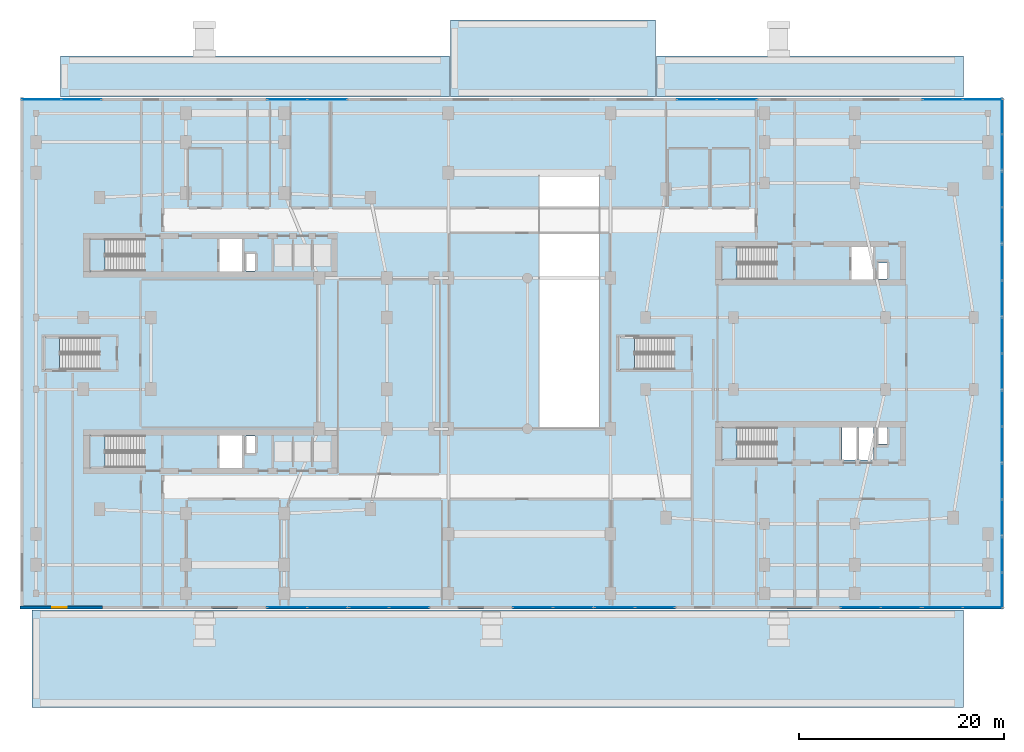
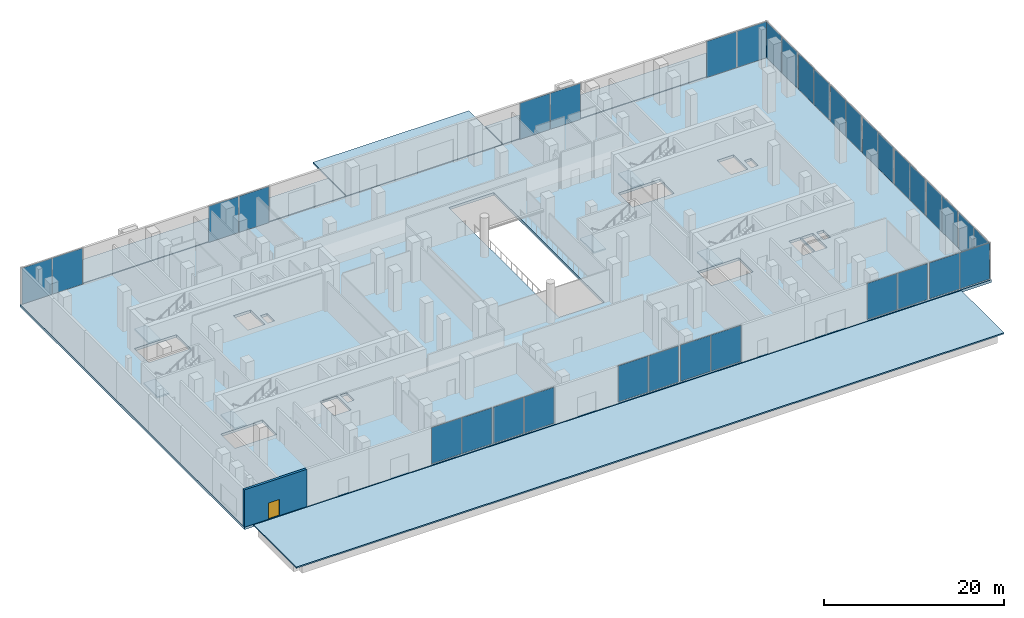
# One storey, part 11 of 24: 34 plates, 11 slabs, 1 door, 1 wall, 1 opening, 23 elements without a shape of their own.
"""IFC4 building model written with IfcOpenShell, lengths in metres."""

import ifcopenshell
import ifcopenshell.guid

model = None  # the IFC model being written
_history = None  # IfcOwnerHistory: only IFC2X3 demands one
_inside = {}  # id of a spatial element -> (the spatial element, [elements in it])
_under = {}  # id of a project, library or spatial element -> (it, [spatial elements below it])
_declared = {}  # id of a project -> (the project, [libraries it declares])
_typed = {}  # id of a type object -> (the type object, [elements of that type])
_made_of = {}  # id of a material, layer set ... -> (it, [elements and type objects made of it])


def new_model(schema):
    """Start an empty IFC model of exactly this schema.

    Asked for "IFC4X3", IfcOpenShell would pick the latest addendum, in which some entities
    have other attributes; the version numbers below select the first issue.
    IFC2X3 requires an IfcOwnerHistory on every rooted entity: one is made here for all.
    """
    global model, _history
    if schema == "IFC4X3":
        model = ifcopenshell.file(schema_version=(4, 3, 0, 0))
    else:
        model = ifcopenshell.file(schema=schema)
    _inside.clear()
    _under.clear()
    _declared.clear()
    _typed.clear()
    _made_of.clear()
    _history = None
    if model.schema == "IFC2X3":
        org = make("IfcOrganization", Name="unknown")
        user = make(
            "IfcPersonAndOrganization",
            ThePerson=make("IfcPerson", FamilyName="unknown"),
            TheOrganization=org,
        )
        app = make(
            "IfcApplication",
            ApplicationDeveloper=org,
            Version="unknown",
            ApplicationFullName="unknown",
            ApplicationIdentifier="unknown",
        )
        _history = make(
            "IfcOwnerHistory",
            OwningUser=user,
            OwningApplication=app,
            ChangeAction="ADDED",
            CreationDate=0,
        )
    return model


def make(cls, **values):
    """One entity of the class cls with the attributes given. An attribute that is None is left unset."""
    return model.create_entity(
        cls, **{name: value for name, value in values.items() if value is not None}
    )


def rooted(cls, **values):
    """An entity with a GlobalId (a new one), such as an element, a storey or a relation."""
    return make(cls, GlobalId=ifcopenshell.guid.new(), OwnerHistory=_history, **values)


def si_unit(unit_type, name, prefix=None):
    """IfcSIUnit, for example si_unit("LENGTHUNIT", "METRE", prefix="MILLI")."""
    return make("IfcSIUnit", UnitType=unit_type, Prefix=prefix, Name=name)


def derived_unit(unit_type, elements):
    """IfcDerivedUnit: a product of units, each with its exponent."""
    return make(
        "IfcDerivedUnit",
        Elements=[
            make("IfcDerivedUnitElement", Unit=unit, Exponent=power)
            for unit, power in elements
        ],
        UnitType=unit_type,
    )


def assignment(units):
    """IfcUnitAssignment: the units of a project."""
    return None if units is None else make("IfcUnitAssignment", Units=units)


def point(xyz):
    """IfcCartesianPoint."""
    return None if xyz is None else make("IfcCartesianPoint", Coordinates=xyz)


def direction(xyz):
    """IfcDirection."""
    return None if xyz is None else make("IfcDirection", DirectionRatios=xyz)


def frame(location, z_axis=None, x_axis=None):
    """IfcAxis2Placement3D, a coordinate frame: its origin and axes. An axis left out is left unset."""
    return make(
        "IfcAxis2Placement3D",
        Location=point(location),
        Axis=direction(z_axis),
        RefDirection=direction(x_axis),
    )


def frame_2d(location, x_axis=None):
    """IfcAxis2Placement2D, a coordinate frame in the plane: its origin and x axis."""
    return make(
        "IfcAxis2Placement2D", Location=point(location), RefDirection=direction(x_axis)
    )


def origin():
    """The frame at (0, 0, 0) with its axes left unset."""
    return frame((0.0, 0.0, 0.0))


def origin_2d():
    """The frame at (0, 0) in the plane with its x axis left unset."""
    return frame_2d((0.0, 0.0))


def place(relative_to, where):
    """IfcLocalPlacement: puts the frame where relative to a parent placement (None: the world)."""
    return make(
        "IfcLocalPlacement", PlacementRelTo=relative_to, RelativePlacement=where
    )


def context(
    kind, dimensions, precision=None, world=None, true_north=None, identifier=None
):
    """IfcGeometricRepresentationContext, for example the 3D "Model" context."""
    return make(
        "IfcGeometricRepresentationContext",
        ContextIdentifier=identifier,
        ContextType=kind,
        CoordinateSpaceDimension=dimensions,
        Precision=precision,
        WorldCoordinateSystem=world,
        TrueNorth=true_north,
    )


def subcontext(parent, identifier, kind, view, scale=None):
    """IfcGeometricRepresentationSubContext, for example "Body" below "Model"."""
    return make(
        "IfcGeometricRepresentationSubContext",
        ContextIdentifier=identifier,
        ContextType=kind,
        ParentContext=parent,
        TargetScale=scale,
        TargetView=view,
    )


def project(units=None, contexts=None):
    """IfcProject with its units and contexts."""
    return rooted(
        "IfcProject",
        Name="project",
        RepresentationContexts=contexts,
        UnitsInContext=assignment(units),
    )


def spatial(cls, under=None, at=None, **own):
    """A site, building, storey or space (cls), placed at a placement, below another one or the project."""
    s = rooted(cls, ObjectPlacement=at, **own)
    if under is not None:
        _under.setdefault(under.id(), (under, []))[1].append(s)
    return s


def polyline(points):
    """IfcPolyline through the points."""
    return make("IfcPolyline", Points=[point(p) for p in points])


def profile(cls, at=None, kind="AREA", **sizes):
    """A parametric profile (cls). Its sizes go by their IFC names, for example OverallWidth=200.0."""
    return make(cls, ProfileType=kind, Position=at, **sizes)


def rectangle(**sizes):
    """IfcRectangleProfileDef."""
    return profile("IfcRectangleProfileDef", **sizes)


def outline(outer, holes=None, kind="AREA"):
    """IfcArbitraryClosedProfileDef: a profile drawn as a closed curve; with holes, ...WithVoids."""
    if holes is None:
        return make("IfcArbitraryClosedProfileDef", ProfileType=kind, OuterCurve=outer)
    return make(
        "IfcArbitraryProfileDefWithVoids",
        ProfileType=kind,
        OuterCurve=outer,
        InnerCurves=holes,
    )


def extrude(swept, where, along, depth):
    """IfcExtrudedAreaSolid: the profile swept, set in the frame where, extruded along a direction by depth."""
    return make(
        "IfcExtrudedAreaSolid",
        SweptArea=swept,
        Position=where,
        ExtrudedDirection=direction(along),
        Depth=depth,
    )


def shape(context_of_items, identifier, shape_type, items):
    """IfcShapeRepresentation: the items that make up one representation, for example the "Body"."""
    return make(
        "IfcShapeRepresentation",
        ContextOfItems=context_of_items,
        RepresentationIdentifier=identifier,
        RepresentationType=shape_type,
        Items=items,
    )


def material(Name=None, Category=None):
    """IfcMaterial."""
    return make("IfcMaterial", Name=Name, Category=Category)


def layer(
    of_material, thickness, ventilated=None, Name=None, Category=None, Priority=None
):
    """IfcMaterialLayer: one layer of a wall or slab, of a material (None: an air gap)."""
    return make(
        "IfcMaterialLayer",
        Material=of_material,
        LayerThickness=thickness,
        IsVentilated=ventilated,
        Name=Name,
        Category=Category,
        Priority=Priority,
    )


def layer_set(layers, Name=None):
    """IfcMaterialLayerSet."""
    return make("IfcMaterialLayerSet", MaterialLayers=layers, LayerSetName=Name)


def made_of(thing, what):
    """Note that an element or type object is made of a material, layer set ...; save() writes the relation."""
    if what is not None:
        _made_of.setdefault(what.id(), (what, []))[1].append(thing)
    return thing


def type_object(cls, material=None, **own):
    """A type object (cls), such as IfcWallType, which elements share."""
    return made_of(rooted(cls, **own), material)


def element(
    cls,
    number,
    at=None,
    inside=None,
    cuts=None,
    type_object=None,
    material=None,
    context=None,
    identifier="Body",
    shape_type=None,
    held_by="IfcProductDefinitionShape",
    body=None,
    shapes=None,
    **own,
):
    """One element of the class cls, such as IfcWall. Its Tag is "e" and its number.

    at: its placement. inside: the storey or other place that contains it. cuts: it is an
    opening in that element (IfcRelVoidsElement). A single representation is given by context,
    identifier, shape_type and body (its items); several are given by shapes. held_by: the class
    of the entity that holds the representations. save() writes the other relations.
    """
    e = rooted(cls, Tag="e%d" % number, ObjectPlacement=at, **own)
    if body is not None:
        shapes = [shape(context, identifier, shape_type, body)]
    if shapes is not None:
        e.Representation = make(held_by, Representations=shapes)
    if inside is not None:
        _inside.setdefault(inside.id(), (inside, []))[1].append(e)
    if cuts is not None:
        rooted(
            "IfcRelVoidsElement", RelatingBuildingElement=cuts, RelatedOpeningElement=e
        )
    if type_object is not None:
        _typed.setdefault(type_object.id(), (type_object, []))[1].append(e)
    return made_of(e, material)


def fill(opening, filler):
    """IfcRelFillsElement: the door or window that sits in an opening."""
    return rooted(
        "IfcRelFillsElement",
        RelatingOpeningElement=opening,
        RelatedBuildingElement=filler,
    )


def aggregate(whole, parts):
    """IfcRelAggregates: a whole, such as a stair, and the parts it consists of."""
    return rooted("IfcRelAggregates", RelatingObject=whole, RelatedObjects=parts)


def save(model, path):
    """Write the relations noted so far, then the file.

    IfcRelAggregates (storeys below a building ...), IfcRelContainedInSpatialStructure (elements
    in a storey), IfcRelDefinesByType, IfcRelAssociatesMaterial and IfcRelDeclares: one each for
    every whole, place, type object, material and project.
    """
    for whole, parts in _under.values():
        aggregate(whole, parts)
    for where, things in _inside.values():
        rooted(
            "IfcRelContainedInSpatialStructure",
            RelatedElements=things,
            RelatingStructure=where,
        )
    for kind, things in _typed.values():
        rooted("IfcRelDefinesByType", RelatedObjects=things, RelatingType=kind)
    for what, things in _made_of.values():
        rooted("IfcRelAssociatesMaterial", RelatedObjects=things, RelatingMaterial=what)
    for by, libraries in _declared.values():
        rooted("IfcRelDeclares", RelatingContext=by, RelatedDefinitions=libraries)
    model.write(path)


model = new_model("IFC4")

# Units and contexts
model_context = context("Model", 3, precision=1e-05, world=origin(), true_north=direction((0.0, 1.0)))
body_context = subcontext(model_context, "Body", "Model", "MODEL_VIEW")
ifc_project = project(units=[si_unit("LENGTHUNIT", "METRE"), si_unit("AREAUNIT", "SQUARE_METRE"), si_unit("VOLUMEUNIT", "CUBIC_METRE"), si_unit("PLANEANGLEUNIT", "RADIAN"), si_unit("MASSUNIT", "GRAM", prefix="KILO"), derived_unit("THERMALTRANSMITTANCEUNIT", [(si_unit("POWERUNIT", "WATT"), 1), (si_unit("LENGTHUNIT", "METRE"), -2), (si_unit("THERMODYNAMICTEMPERATUREUNIT", "KELVIN"), -1)])], contexts=[model_context])

# Site, building, storey
site_placement = place(None, origin())
site = spatial("IfcSite", under=ifc_project, at=site_placement, CompositionType="ELEMENT")
building_placement = place(site_placement, origin())
building = spatial("IfcBuilding", under=site, at=building_placement, Name="Kivonza Crest Hotel", CompositionType="ELEMENT")
storey_placement = place(building_placement, origin())
storey = spatial("IfcBuildingStorey", under=building, at=storey_placement, Name="L00", CompositionType="ELEMENT", Elevation=0.0)

# Curtain wall, plates
ifc_material_1 = material(Name="Anodised bronze aluminium and low-E double glazing", Category="aluminium")
ifc_layer_1 = layer(ifc_material_1, 0.219970703125)
ifc_layer_set_1 = layer_set([ifc_layer_1], Name="Anodised bronze aluminium and low-E double glazing")
curtain_wall_type = type_object("IfcCurtainWallType", Name="CW-SYS-1", PredefinedType="NOTDEFINED", material=ifc_layer_set_1)
curtain_wall_1_placement = place(storey_placement, origin())
curtain_wall_1 = element("IfcCurtainWall", 1, at=curtain_wall_1_placement, inside=storey, type_object=curtain_wall_type, Name="L00 unitised curtain wall CW-POD-L00-04", PredefinedType="NOTDEFINED")
ifc_material_2 = material(Name="Acoustic triple-laminated low-E glazing", Category="glass")
ifc_layer_2 = layer(ifc_material_2, 0.035888671875)
ifc_layer_set_2 = layer_set([ifc_layer_2], Name="Acoustic triple-laminated low-E glazing")
plate_type = type_object("IfcPlateType", Name="CW-PNL-36", PredefinedType="CURTAIN_PANEL", material=ifc_layer_set_2)
plate_1_placement = place(storey_placement, frame((26.075439453125, 0.239990234375, 0.074951171875), z_axis=(0.0, 0.0, 1.0), x_axis=(1.0, 0.0, 0.0)))
plate_1 = element("IfcPlate", 2, at=plate_1_placement, type_object=plate_type, Name="CW-1 panel 1.1", PredefinedType="CURTAIN_PANEL", context=body_context, shape_type="SweptSolid", body=[
    extrude(rectangle(XDim=3.841064453125, YDim=0.035888671875, at=origin_2d()), origin(), (0.0, 0.0, 1.0), 4.89990234375),
])
plate_2_placement = place(storey_placement, frame((29.991455078125, 0.239990234375, 0.074951171875), z_axis=(0.0, 0.0, 1.0), x_axis=(1.0, 0.0, 0.0)))
plate_2 = element("IfcPlate", 3, at=plate_2_placement, type_object=plate_type, Name="CW-1 panel 2.1", PredefinedType="CURTAIN_PANEL", context=body_context, shape_type="SweptSolid", body=[
    extrude(rectangle(XDim=3.841064453125, YDim=0.035888671875, at=origin_2d()), origin(), (0.0, 0.0, 1.0), 4.89990234375),
])
aggregate(curtain_wall_1, [plate_1, plate_2])

curtain_wall_2_placement = place(storey_placement, origin())
curtain_wall_2 = element("IfcCurtainWall", 4, at=curtain_wall_2_placement, inside=storey, type_object=curtain_wall_type, Name="L00 unitised curtain wall CW-POD-L00-05", PredefinedType="NOTDEFINED")
plate_3_placement = place(storey_placement, frame((34.062255859375, 0.239990234375, 0.074951171875), z_axis=(0.0, 0.0, 1.0), x_axis=(1.0, 0.0, 0.0)))
plate_3 = element("IfcPlate", 5, at=plate_3_placement, type_object=plate_type, Name="CW-1 panel 1.1", PredefinedType="CURTAIN_PANEL", context=body_context, shape_type="SweptSolid", body=[
    extrude(rectangle(XDim=3.840576171875, YDim=0.035888671875, at=origin_2d()), origin(), (0.0, 0.0, 1.0), 4.89990234375),
])
plate_4_placement = place(storey_placement, frame((37.977783203125, 0.239990234375, 0.074951171875), z_axis=(0.0, 0.0, 1.0), x_axis=(1.0, 0.0, 0.0)))
plate_4 = element("IfcPlate", 6, at=plate_4_placement, type_object=plate_type, Name="CW-1 panel 2.1", PredefinedType="CURTAIN_PANEL", context=body_context, shape_type="SweptSolid", body=[
    extrude(rectangle(XDim=3.840576171875, YDim=0.035888671875, at=origin_2d()), origin(), (0.0, 0.0, 1.0), 4.89990234375),
])
aggregate(curtain_wall_2, [plate_3, plate_4])

curtain_wall_3_placement = place(storey_placement, origin())
curtain_wall_3 = element("IfcCurtainWall", 7, at=curtain_wall_3_placement, inside=storey, type_object=curtain_wall_type, Name="L00 unitised curtain wall CW-POD-L00-07", PredefinedType="NOTDEFINED")
plate_5_placement = place(storey_placement, frame((50.035400390625, 0.239990234375, 0.074951171875), z_axis=(0.0, 0.0, 1.0), x_axis=(1.0, 0.0, 0.0)))
plate_5 = element("IfcPlate", 8, at=plate_5_placement, type_object=plate_type, Name="CW-1 panel 1.1", PredefinedType="CURTAIN_PANEL", context=body_context, shape_type="SweptSolid", body=[
    extrude(rectangle(XDim=3.841064453125, YDim=0.035888671875, at=origin_2d()), origin(), (0.0, 0.0, 1.0), 4.89990234375),
])
plate_6_placement = place(storey_placement, frame((53.951416015625, 0.239990234375, 0.074951171875), z_axis=(0.0, 0.0, 1.0), x_axis=(1.0, 0.0, 0.0)))
plate_6 = element("IfcPlate", 9, at=plate_6_placement, type_object=plate_type, Name="CW-1 panel 2.1", PredefinedType="CURTAIN_PANEL", context=body_context, shape_type="SweptSolid", body=[
    extrude(rectangle(XDim=3.841064453125, YDim=0.035888671875, at=origin_2d()), origin(), (0.0, 0.0, 1.0), 4.89990234375),
])
aggregate(curtain_wall_3, [plate_5, plate_6])

curtain_wall_4_placement = place(storey_placement, origin())
curtain_wall_4 = element("IfcCurtainWall", 10, at=curtain_wall_4_placement, inside=storey, type_object=curtain_wall_type, Name="L00 unitised curtain wall CW-POD-L00-08", PredefinedType="NOTDEFINED")
plate_7_placement = place(storey_placement, frame((58.022216796875, 0.239990234375, 0.074951171875), z_axis=(0.0, 0.0, 1.0), x_axis=(1.0, 0.0, 0.0)))
plate_7 = element("IfcPlate", 11, at=plate_7_placement, type_object=plate_type, Name="CW-1 panel 1.1", PredefinedType="CURTAIN_PANEL", context=body_context, shape_type="SweptSolid", body=[
    extrude(rectangle(XDim=3.840576171875, YDim=0.035888671875, at=origin_2d()), origin(), (0.0, 0.0, 1.0), 4.89990234375),
])
plate_8_placement = place(storey_placement, frame((61.937744140625, 0.239990234375, 0.074951171875), z_axis=(0.0, 0.0, 1.0), x_axis=(1.0, 0.0, 0.0)))
plate_8 = element("IfcPlate", 12, at=plate_8_placement, type_object=plate_type, Name="CW-1 panel 2.1", PredefinedType="CURTAIN_PANEL", context=body_context, shape_type="SweptSolid", body=[
    extrude(rectangle(XDim=3.840576171875, YDim=0.035888671875, at=origin_2d()), origin(), (0.0, 0.0, 1.0), 4.89990234375),
])
aggregate(curtain_wall_4, [plate_7, plate_8])

curtain_wall_5_placement = place(storey_placement, origin())
curtain_wall_5 = element("IfcCurtainWall", 13, at=curtain_wall_5_placement, inside=storey, type_object=curtain_wall_type, Name="L00 unitised curtain wall CW-POD-L00-11", PredefinedType="NOTDEFINED")
plate_9_placement = place(storey_placement, frame((81.982177734375, 0.239990234375, 0.074951171875), z_axis=(0.0, 0.0, 1.0), x_axis=(1.0, 0.0, 0.0)))
plate_9 = element("IfcPlate", 14, at=plate_9_placement, type_object=plate_type, Name="CW-1 panel 1.1", PredefinedType="CURTAIN_PANEL", context=body_context, shape_type="SweptSolid", body=[
    extrude(rectangle(XDim=3.840576171875, YDim=0.035888671875, at=origin_2d()), origin(), (0.0, 0.0, 1.0), 4.89990234375),
])
plate_10_placement = place(storey_placement, frame((85.897705078125, 0.239990234375, 0.074951171875), z_axis=(0.0, 0.0, 1.0), x_axis=(1.0, 0.0, 0.0)))
plate_10 = element("IfcPlate", 15, at=plate_10_placement, type_object=plate_type, Name="CW-1 panel 2.1", PredefinedType="CURTAIN_PANEL", context=body_context, shape_type="SweptSolid", body=[
    extrude(rectangle(XDim=3.840576171875, YDim=0.035888671875, at=origin_2d()), origin(), (0.0, 0.0, 1.0), 4.89990234375),
])
aggregate(curtain_wall_5, [plate_9, plate_10])

curtain_wall_6_placement = place(storey_placement, origin())
curtain_wall_6 = element("IfcCurtainWall", 16, at=curtain_wall_6_placement, inside=storey, type_object=curtain_wall_type, Name="L00 unitised curtain wall CW-POD-L00-12", PredefinedType="NOTDEFINED")
plate_11_placement = place(storey_placement, frame((89.968505859375, 0.239990234375, 0.074951171875), z_axis=(0.0, 0.0, 1.0), x_axis=(1.0, 0.0, 0.0)))
plate_11 = element("IfcPlate", 17, at=plate_11_placement, type_object=plate_type, Name="CW-1 panel 1.1", PredefinedType="CURTAIN_PANEL", context=body_context, shape_type="SweptSolid", body=[
    extrude(rectangle(XDim=3.841064453125, YDim=0.035888671875, at=origin_2d()), origin(), (0.0, 0.0, 1.0), 4.89990234375),
])
plate_12_placement = place(storey_placement, frame((93.884521484375, 0.239990234375, 0.074951171875), z_axis=(0.0, 0.0, 1.0), x_axis=(1.0, 0.0, 0.0)))
plate_12 = element("IfcPlate", 18, at=plate_12_placement, type_object=plate_type, Name="CW-1 panel 2.1", PredefinedType="CURTAIN_PANEL", context=body_context, shape_type="SweptSolid", body=[
    extrude(rectangle(XDim=3.841064453125, YDim=0.035888671875, at=origin_2d()), origin(), (0.0, 0.0, 1.0), 4.89990234375),
])
aggregate(curtain_wall_6, [plate_11, plate_12])

curtain_wall_7_placement = place(storey_placement, origin())
curtain_wall_7 = element("IfcCurtainWall", 19, at=curtain_wall_7_placement, inside=storey, type_object=curtain_wall_type, Name="L00 unitised curtain wall CW-POD-L00-13", PredefinedType="NOTDEFINED")
plate_13_placement = place(storey_placement, frame((95.760009765625, 1.898681640625, 0.074951171875), z_axis=(0.0, 0.0, 1.0), x_axis=(0.0, 1.0, 0.0)))
plate_13 = element("IfcPlate", 20, at=plate_13_placement, type_object=plate_type, Name="CW-1 panel 1.1", PredefinedType="CURTAIN_PANEL", context=body_context, shape_type="SweptSolid", body=[
    extrude(rectangle(XDim=3.407470703125, YDim=0.035888671875, at=origin_2d()), origin(), (0.0, 0.0, 1.0), 4.89990234375),
])
plate_14_placement = place(storey_placement, frame((95.760009765625, 5.38134765625, 0.074951171875), z_axis=(0.0, 0.0, 1.0), x_axis=(0.0, 1.0, 0.0)))
plate_14 = element("IfcPlate", 21, at=plate_14_placement, type_object=plate_type, Name="CW-1 panel 2.1", PredefinedType="CURTAIN_PANEL", context=body_context, shape_type="SweptSolid", body=[
    extrude(rectangle(XDim=3.407470703125, YDim=0.035888671875, at=origin_2d()), origin(), (0.0, 0.0, 1.0), 4.89990234375),
])
aggregate(curtain_wall_7, [plate_13, plate_14])

curtain_wall_8_placement = place(storey_placement, origin())
curtain_wall_8 = element("IfcCurtainWall", 22, at=curtain_wall_8_placement, inside=storey, type_object=curtain_wall_type, Name="L00 unitised curtain wall CW-POD-L00-14", PredefinedType="NOTDEFINED")
plate_15_placement = place(storey_placement, frame((95.760009765625, 9.018798828125, 0.074951171875), z_axis=(0.0, 0.0, 1.0), x_axis=(0.0, 1.0, 0.0)))
plate_15 = element("IfcPlate", 23, at=plate_15_placement, type_object=plate_type, Name="CW-1 panel 1.1", PredefinedType="CURTAIN_PANEL", context=body_context, shape_type="SweptSolid", body=[
    extrude(rectangle(XDim=3.407470703125, YDim=0.035888671875, at=origin_2d()), origin(), (0.0, 0.0, 1.0), 4.89990234375),
])
plate_16_placement = place(storey_placement, frame((95.760009765625, 12.501220703125, 0.074951171875), z_axis=(0.0, 0.0, 1.0), x_axis=(0.0, 1.0, 0.0)))
plate_16 = element("IfcPlate", 24, at=plate_16_placement, type_object=plate_type, Name="CW-1 panel 2.1", PredefinedType="CURTAIN_PANEL", context=body_context, shape_type="SweptSolid", body=[
    extrude(rectangle(XDim=3.407470703125, YDim=0.035888671875, at=origin_2d()), origin(), (0.0, 0.0, 1.0), 4.89990234375),
])
aggregate(curtain_wall_8, [plate_15, plate_16])

curtain_wall_9_placement = place(storey_placement, origin())
curtain_wall_9 = element("IfcCurtainWall", 25, at=curtain_wall_9_placement, inside=storey, type_object=curtain_wall_type, Name="L00 unitised curtain wall CW-POD-L00-15", PredefinedType="NOTDEFINED")
plate_17_placement = place(storey_placement, frame((95.760009765625, 16.138671875, 0.074951171875), z_axis=(0.0, 0.0, 1.0), x_axis=(0.0, 1.0, 0.0)))
plate_17 = element("IfcPlate", 26, at=plate_17_placement, type_object=plate_type, Name="CW-1 panel 1.1", PredefinedType="CURTAIN_PANEL", context=body_context, shape_type="SweptSolid", body=[
    extrude(rectangle(XDim=3.407470703125, YDim=0.035888671875, at=origin_2d()), origin(), (0.0, 0.0, 1.0), 4.89990234375),
])
plate_18_placement = place(storey_placement, frame((95.760009765625, 19.621337890625, 0.074951171875), z_axis=(0.0, 0.0, 1.0), x_axis=(0.0, 1.0, 0.0)))
plate_18 = element("IfcPlate", 27, at=plate_18_placement, type_object=plate_type, Name="CW-1 panel 2.1", PredefinedType="CURTAIN_PANEL", context=body_context, shape_type="SweptSolid", body=[
    extrude(rectangle(XDim=3.407470703125, YDim=0.035888671875, at=origin_2d()), origin(), (0.0, 0.0, 1.0), 4.89990234375),
])
aggregate(curtain_wall_9, [plate_17, plate_18])

curtain_wall_10_placement = place(storey_placement, origin())
curtain_wall_10 = element("IfcCurtainWall", 28, at=curtain_wall_10_placement, inside=storey, type_object=curtain_wall_type, Name="L00 unitised curtain wall CW-POD-L00-16", PredefinedType="NOTDEFINED")
plate_19_placement = place(storey_placement, frame((95.760009765625, 23.2587890625, 0.074951171875), z_axis=(0.0, 0.0, 1.0), x_axis=(0.0, 1.0, 0.0)))
plate_19 = element("IfcPlate", 29, at=plate_19_placement, type_object=plate_type, Name="CW-1 panel 1.1", PredefinedType="CURTAIN_PANEL", context=body_context, shape_type="SweptSolid", body=[
    extrude(rectangle(XDim=3.407470703125, YDim=0.035888671875, at=origin_2d()), origin(), (0.0, 0.0, 1.0), 4.89990234375),
])
plate_20_placement = place(storey_placement, frame((95.760009765625, 26.7412109375, 0.074951171875), z_axis=(0.0, 0.0, 1.0), x_axis=(0.0, 1.0, 0.0)))
plate_20 = element("IfcPlate", 30, at=plate_20_placement, type_object=plate_type, Name="CW-1 panel 2.1", PredefinedType="CURTAIN_PANEL", context=body_context, shape_type="SweptSolid", body=[
    extrude(rectangle(XDim=3.407470703125, YDim=0.035888671875, at=origin_2d()), origin(), (0.0, 0.0, 1.0), 4.89990234375),
])
aggregate(curtain_wall_10, [plate_19, plate_20])

curtain_wall_11_placement = place(storey_placement, origin())
curtain_wall_11 = element("IfcCurtainWall", 31, at=curtain_wall_11_placement, inside=storey, type_object=curtain_wall_type, Name="L00 unitised curtain wall CW-POD-L00-17", PredefinedType="NOTDEFINED")
plate_21_placement = place(storey_placement, frame((95.760009765625, 30.378662109375, 0.074951171875), z_axis=(0.0, 0.0, 1.0), x_axis=(0.0, 1.0, 0.0)))
plate_21 = element("IfcPlate", 32, at=plate_21_placement, type_object=plate_type, Name="CW-1 panel 1.1", PredefinedType="CURTAIN_PANEL", context=body_context, shape_type="SweptSolid", body=[
    extrude(rectangle(XDim=3.407470703125, YDim=0.035888671875, at=origin_2d()), origin(), (0.0, 0.0, 1.0), 4.89990234375),
])
plate_22_placement = place(storey_placement, frame((95.760009765625, 33.861328125, 0.074951171875), z_axis=(0.0, 0.0, 1.0), x_axis=(0.0, 1.0, 0.0)))
plate_22 = element("IfcPlate", 33, at=plate_22_placement, type_object=plate_type, Name="CW-1 panel 2.1", PredefinedType="CURTAIN_PANEL", context=body_context, shape_type="SweptSolid", body=[
    extrude(rectangle(XDim=3.407470703125, YDim=0.035888671875, at=origin_2d()), origin(), (0.0, 0.0, 1.0), 4.89990234375),
])
aggregate(curtain_wall_11, [plate_21, plate_22])

curtain_wall_12_placement = place(storey_placement, origin())
curtain_wall_12 = element("IfcCurtainWall", 34, at=curtain_wall_12_placement, inside=storey, type_object=curtain_wall_type, Name="L00 unitised curtain wall CW-POD-L00-18", PredefinedType="NOTDEFINED")
plate_23_placement = place(storey_placement, frame((95.760009765625, 37.498779296875, 0.074951171875), z_axis=(0.0, 0.0, 1.0), x_axis=(0.0, 1.0, 0.0)))
plate_23 = element("IfcPlate", 35, at=plate_23_placement, type_object=plate_type, Name="CW-1 panel 1.1", PredefinedType="CURTAIN_PANEL", context=body_context, shape_type="SweptSolid", body=[
    extrude(rectangle(XDim=3.407470703125, YDim=0.035888671875, at=origin_2d()), origin(), (0.0, 0.0, 1.0), 4.89990234375),
])
plate_24_placement = place(storey_placement, frame((95.760009765625, 40.981201171875, 0.074951171875), z_axis=(0.0, 0.0, 1.0), x_axis=(0.0, 1.0, 0.0)))
plate_24 = element("IfcPlate", 36, at=plate_24_placement, type_object=plate_type, Name="CW-1 panel 2.1", PredefinedType="CURTAIN_PANEL", context=body_context, shape_type="SweptSolid", body=[
    extrude(rectangle(XDim=3.407470703125, YDim=0.035888671875, at=origin_2d()), origin(), (0.0, 0.0, 1.0), 4.89990234375),
])
aggregate(curtain_wall_12, [plate_23, plate_24])

curtain_wall_13_placement = place(storey_placement, origin())
curtain_wall_13 = element("IfcCurtainWall", 37, at=curtain_wall_13_placement, inside=storey, type_object=curtain_wall_type, Name="L00 unitised curtain wall CW-POD-L00-19", PredefinedType="NOTDEFINED")
plate_25_placement = place(storey_placement, frame((95.760009765625, 44.61865234375, 0.074951171875), z_axis=(0.0, 0.0, 1.0), x_axis=(0.0, 1.0, 0.0)))
plate_25 = element("IfcPlate", 38, at=plate_25_placement, type_object=plate_type, Name="CW-1 panel 1.1", PredefinedType="CURTAIN_PANEL", context=body_context, shape_type="SweptSolid", body=[
    extrude(rectangle(XDim=3.407470703125, YDim=0.035888671875, at=origin_2d()), origin(), (0.0, 0.0, 1.0), 4.89990234375),
])
plate_26_placement = place(storey_placement, frame((95.760009765625, 48.101318359375, 0.074951171875), z_axis=(0.0, 0.0, 1.0), x_axis=(0.0, 1.0, 0.0)))
plate_26 = element("IfcPlate", 39, at=plate_26_placement, type_object=plate_type, Name="CW-1 panel 2.1", PredefinedType="CURTAIN_PANEL", context=body_context, shape_type="SweptSolid", body=[
    extrude(rectangle(XDim=3.407470703125, YDim=0.035888671875, at=origin_2d()), origin(), (0.0, 0.0, 1.0), 4.89990234375),
])
aggregate(curtain_wall_13, [plate_25, plate_26])

curtain_wall_14_placement = place(storey_placement, origin())
curtain_wall_14 = element("IfcCurtainWall", 40, at=curtain_wall_14_placement, inside=storey, type_object=curtain_wall_type, Name="L00 unitised curtain wall CW-POD-L00-20", PredefinedType="NOTDEFINED")
plate_27_placement = place(storey_placement, frame((93.884521484375, 49.760009765625, 0.074951171875), z_axis=(0.0, 0.0, 1.0), x_axis=(-1.0, 0.0, 0.0)))
plate_27 = element("IfcPlate", 41, at=plate_27_placement, type_object=plate_type, Name="CW-1 panel 1.1", PredefinedType="CURTAIN_PANEL", context=body_context, shape_type="SweptSolid", body=[
    extrude(rectangle(XDim=3.841064453125, YDim=0.035888671875, at=origin_2d()), origin(), (0.0, 0.0, 1.0), 4.89990234375),
])
plate_28_placement = place(storey_placement, frame((89.968505859375, 49.760009765625, 0.074951171875), z_axis=(0.0, 0.0, 1.0), x_axis=(-1.0, 0.0, 0.0)))
plate_28 = element("IfcPlate", 42, at=plate_28_placement, type_object=plate_type, Name="CW-1 panel 2.1", PredefinedType="CURTAIN_PANEL", context=body_context, shape_type="SweptSolid", body=[
    extrude(rectangle(XDim=3.841064453125, YDim=0.035888671875, at=origin_2d()), origin(), (0.0, 0.0, 1.0), 4.89990234375),
])
aggregate(curtain_wall_14, [plate_27, plate_28])

curtain_wall_15_placement = place(storey_placement, origin())
curtain_wall_15 = element("IfcCurtainWall", 43, at=curtain_wall_15_placement, inside=storey, type_object=curtain_wall_type, Name="L00 unitised curtain wall CW-POD-L00-23", PredefinedType="NOTDEFINED")
plate_29_placement = place(storey_placement, frame((69.924560546875, 49.760009765625, 0.074951171875), z_axis=(0.0, 0.0, 1.0), x_axis=(-1.0, 0.0, 0.0)))
plate_29 = element("IfcPlate", 44, at=plate_29_placement, type_object=plate_type, Name="CW-1 panel 1.1", PredefinedType="CURTAIN_PANEL", context=body_context, shape_type="SweptSolid", body=[
    extrude(rectangle(XDim=3.841064453125, YDim=0.035888671875, at=origin_2d()), origin(), (0.0, 0.0, 1.0), 4.89990234375),
])
plate_30_placement = place(storey_placement, frame((66.008544921875, 49.760009765625, 0.074951171875), z_axis=(0.0, 0.0, 1.0), x_axis=(-1.0, 0.0, 0.0)))
plate_30 = element("IfcPlate", 45, at=plate_30_placement, type_object=plate_type, Name="CW-1 panel 2.1", PredefinedType="CURTAIN_PANEL", context=body_context, shape_type="SweptSolid", body=[
    extrude(rectangle(XDim=3.841064453125, YDim=0.035888671875, at=origin_2d()), origin(), (0.0, 0.0, 1.0), 4.89990234375),
])
aggregate(curtain_wall_15, [plate_29, plate_30])

curtain_wall_16_placement = place(storey_placement, origin())
curtain_wall_16 = element("IfcCurtainWall", 46, at=curtain_wall_16_placement, inside=storey, type_object=curtain_wall_type, Name="L00 unitised curtain wall CW-POD-L00-28", PredefinedType="NOTDEFINED")
plate_31_placement = place(storey_placement, frame((29.991455078125, 49.760009765625, 0.074951171875), z_axis=(0.0, 0.0, 1.0), x_axis=(-1.0, 0.0, 0.0)))
plate_31 = element("IfcPlate", 47, at=plate_31_placement, type_object=plate_type, Name="CW-1 panel 1.1", PredefinedType="CURTAIN_PANEL", context=body_context, shape_type="SweptSolid", body=[
    extrude(rectangle(XDim=3.841064453125, YDim=0.035888671875, at=origin_2d()), origin(), (0.0, 0.0, 1.0), 4.89990234375),
])
plate_32_placement = place(storey_placement, frame((26.075439453125, 49.760009765625, 0.074951171875), z_axis=(0.0, 0.0, 1.0), x_axis=(-1.0, 0.0, 0.0)))
plate_32 = element("IfcPlate", 48, at=plate_32_placement, type_object=plate_type, Name="CW-1 panel 2.1", PredefinedType="CURTAIN_PANEL", context=body_context, shape_type="SweptSolid", body=[
    extrude(rectangle(XDim=3.841064453125, YDim=0.035888671875, at=origin_2d()), origin(), (0.0, 0.0, 1.0), 4.89990234375),
])
aggregate(curtain_wall_16, [plate_31, plate_32])

curtain_wall_17_placement = place(storey_placement, origin())
curtain_wall_17 = element("IfcCurtainWall", 49, at=curtain_wall_17_placement, inside=storey, type_object=curtain_wall_type, Name="L00 unitised curtain wall CW-POD-L00-31", PredefinedType="NOTDEFINED")
plate_33_placement = place(storey_placement, frame((6.031494140625, 49.760009765625, 0.074951171875), z_axis=(0.0, 0.0, 1.0), x_axis=(-1.0, 0.0, 0.0)))
plate_33 = element("IfcPlate", 50, at=plate_33_placement, type_object=plate_type, Name="CW-1 panel 1.1", PredefinedType="CURTAIN_PANEL", context=body_context, shape_type="SweptSolid", body=[
    extrude(rectangle(XDim=3.841064453125, YDim=0.035888671875, at=origin_2d()), origin(), (0.0, 0.0, 1.0), 4.89990234375),
])
plate_34_placement = place(storey_placement, frame((2.115478515625, 49.760009765625, 0.074951171875), z_axis=(0.0, 0.0, 1.0), x_axis=(-1.0, 0.0, 0.0)))
plate_34 = element("IfcPlate", 51, at=plate_34_placement, type_object=plate_type, Name="CW-1 panel 2.1", PredefinedType="CURTAIN_PANEL", context=body_context, shape_type="SweptSolid", body=[
    extrude(rectangle(XDim=3.841064453125, YDim=0.035888671875, at=origin_2d()), origin(), (0.0, 0.0, 1.0), 4.89990234375),
])
aggregate(curtain_wall_17, [plate_33, plate_34])

# Slabs
ifc_material_3 = material(Name="Concrete C40/50", Category="concrete")
ifc_layer_3 = layer(ifc_material_3, 0.179931640625)
ifc_layer_set_3 = layer_set([ifc_layer_3], Name="Concrete C40/50")
slab_type_1 = type_object("IfcSlabType", Name="SL-APRN-180", PredefinedType="BASESLAB", material=ifc_layer_set_3)
slab_1_placement = place(storey_placement, frame((0.0, 0.0, -0.179931640625)))
element("IfcSlab", 52, at=slab_1_placement, inside=storey, type_object=slab_type_1, Name="Car park ramp and loading exterior driveway apron", PredefinedType="BASESLAB", context=body_context, shape_type="SweptSolid", body=[
    extrude(outline(polyline([(42.0, 50.0), (62.0, 50.0), (62.0, 57.5), (42.0, 57.5), (42.0, 50.0)])), origin(), (0.0, 0.0, 1.0), 0.179931640625),
])
slab_2_placement = place(storey_placement, frame((0.0, 0.0, -0.179931640625)))
element("IfcSlab", 53, at=slab_2_placement, inside=storey, type_object=slab_type_1, Name="South street arrival forecourt and drop-off paving", PredefinedType="BASESLAB", context=body_context, shape_type="SweptSolid", body=[
    extrude(outline(polyline([(1.199951171875, -9.5), (92.0, -9.5), (92.0, -0.02001953125), (1.199951171875, -0.02001953125), (1.199951171875, -9.5)])), origin(), (0.0, 0.0, 1.0), 0.179931640625),
])
slab_3_placement = place(storey_placement, frame((0.0, 0.0, -0.179931640625)))
element("IfcSlab", 54, at=slab_3_placement, inside=storey, type_object=slab_type_1, Name="North fire-appliance and exit discharge walkway", PredefinedType="BASESLAB", context=body_context, shape_type="SweptSolid", body=[
    extrude(outline(polyline([(4.0, 50.0), (41.89990234375, 50.0), (41.89990234375, 54.0), (4.0, 54.0), (4.0, 50.0)])), origin(), (0.0, 0.0, 1.0), 0.179931640625),
])
slab_4_placement = place(storey_placement, frame((0.0, 0.0, -0.179931640625)))
element("IfcSlab", 55, at=slab_4_placement, inside=storey, type_object=slab_type_1, Name="North-East exit discharge walkway", PredefinedType="BASESLAB", context=body_context, shape_type="SweptSolid", body=[
    extrude(outline(polyline([(62.10009765625, 50.0), (92.0, 50.0), (92.0, 54.0), (62.10009765625, 54.0), (62.10009765625, 50.0)])), origin(), (0.0, 0.0, 1.0), 0.179931640625),
])

# Stair, slab
stair_type = type_object("IfcStairType", Name="ST-DL-30R", PredefinedType="HALF_TURN_STAIR", material=ifc_material_3)
stair_1_placement = place(storey_placement, origin())
stair_1 = element("IfcStair", 56, at=stair_1_placement, inside=storey, type_object=stair_type, Name="L00 Protected Exit Stair ST-T1-N", PredefinedType="HALF_TURN_STAIR")
ifc_layer_4 = layer(ifc_material_3, 0.199951171875)
ifc_layer_set_4 = layer_set([ifc_layer_4], Name="Concrete C40/50")
slab_type_2 = type_object("IfcSlabType", Name="SL-LAND-200", PredefinedType="LANDING", material=ifc_layer_set_4)
slab_5_placement = place(storey_placement, frame((0.0, 0.0, 2.5)))
slab_5 = element("IfcSlab", 57, at=slab_5_placement, type_object=slab_type_2, Name="ST-T1-N landing 1", PredefinedType="LANDING", context=body_context, shape_type="SweptSolid", body=[
    extrude(outline(polyline([(8.320068359375, 36.159912109375), (6.800048828125, 36.159912109375), (6.800048828125, 33.02001953125), (8.320068359375, 33.02001953125), (8.320068359375, 36.159912109375)])), origin(), (0.0, 0.0, 1.0), 0.199951171875),
])
aggregate(stair_1, [slab_5])

stair_2_placement = place(storey_placement, origin())
stair_2 = element("IfcStair", 58, at=stair_2_placement, inside=storey, type_object=stair_type, Name="L00 Protected Exit Stair ST-T1-S", PredefinedType="HALF_TURN_STAIR")
slab_6_placement = place(storey_placement, frame((0.0, 0.0, 2.5)))
slab_6 = element("IfcSlab", 59, at=slab_6_placement, type_object=slab_type_2, Name="ST-T1-S landing 1", PredefinedType="LANDING", context=body_context, shape_type="SweptSolid", body=[
    extrude(outline(polyline([(8.320068359375, 17.0), (6.800048828125, 17.0), (6.800048828125, 13.860107421875), (8.320068359375, 13.860107421875), (8.320068359375, 17.0)])), origin(), (0.0, 0.0, 1.0), 0.199951171875),
])
aggregate(stair_2, [slab_6])

stair_3_placement = place(storey_placement, origin())
stair_3 = element("IfcStair", 60, at=stair_3_placement, inside=storey, type_object=stair_type, Name="L00 Protected Exit Stair ST-T2-N", PredefinedType="HALF_TURN_STAIR")
slab_7_placement = place(storey_placement, frame((0.0, 0.0, 2.5)))
slab_7 = element("IfcSlab", 61, at=slab_7_placement, type_object=slab_type_2, Name="ST-T2-N landing 1", PredefinedType="LANDING", context=body_context, shape_type="SweptSolid", body=[
    extrude(outline(polyline([(69.919921875, 35.360107421875), (68.39990234375, 35.360107421875), (68.39990234375, 32.219970703125), (69.919921875, 32.219970703125), (69.919921875, 35.360107421875)])), origin(), (0.0, 0.0, 1.0), 0.199951171875),
])
aggregate(stair_3, [slab_7])

stair_4_placement = place(storey_placement, origin())
stair_4 = element("IfcStair", 62, at=stair_4_placement, inside=storey, type_object=stair_type, Name="L00 Protected Exit Stair ST-T2-S", PredefinedType="HALF_TURN_STAIR")
slab_8_placement = place(storey_placement, frame((0.0, 0.0, 2.5)))
slab_8 = element("IfcSlab", 63, at=slab_8_placement, type_object=slab_type_2, Name="ST-T2-S landing 1", PredefinedType="LANDING", context=body_context, shape_type="SweptSolid", body=[
    extrude(outline(polyline([(69.919921875, 17.800048828125), (68.39990234375, 17.800048828125), (68.39990234375, 14.659912109375), (69.919921875, 14.659912109375), (69.919921875, 17.800048828125)])), origin(), (0.0, 0.0, 1.0), 0.199951171875),
])
aggregate(stair_4, [slab_8])

stair_5_placement = place(storey_placement, origin())
stair_5 = element("IfcStair", 64, at=stair_5_placement, inside=storey, type_object=stair_type, Name="L00 Podium Escape Stair ST-POD-W", PredefinedType="HALF_TURN_STAIR")
slab_9_placement = place(storey_placement, frame((0.0, 0.0, 2.5)))
slab_9 = element("IfcSlab", 65, at=slab_9_placement, type_object=slab_type_2, Name="ST-POD-W landing 1", PredefinedType="LANDING", context=body_context, shape_type="SweptSolid", body=[
    extrude(outline(polyline([(3.919921875, 26.580078125), (2.39990234375, 26.580078125), (2.39990234375, 23.43994140625), (3.919921875, 23.43994140625), (3.919921875, 26.580078125)])), origin(), (0.0, 0.0, 1.0), 0.199951171875),
])
aggregate(stair_5, [slab_9])

stair_6_placement = place(storey_placement, origin())
stair_6 = element("IfcStair", 66, at=stair_6_placement, inside=storey, type_object=stair_type, Name="L00 Podium Escape Stair ST-POD-E", PredefinedType="HALF_TURN_STAIR")
slab_10_placement = place(storey_placement, frame((0.0, 0.0, 2.5)))
slab_10 = element("IfcSlab", 67, at=slab_10_placement, type_object=slab_type_2, Name="ST-POD-E landing 1", PredefinedType="LANDING", context=body_context, shape_type="SweptSolid", body=[
    extrude(outline(polyline([(59.919921875, 26.580078125), (58.39990234375, 26.580078125), (58.39990234375, 23.43994140625), (59.919921875, 23.43994140625), (59.919921875, 26.580078125)])), origin(), (0.0, 0.0, 1.0), 0.199951171875),
])
aggregate(stair_6, [slab_10])

# Slab
ifc_layer_5 = layer(ifc_material_3, 0.35009765625)
ifc_layer_set_5 = layer_set([ifc_layer_5], Name="Concrete C40/50")
slab_type_3 = type_object("IfcSlabType", Name="SL-POD-350", PredefinedType="FLOOR", material=ifc_layer_set_5)
slab_11_placement = place(storey_placement, frame((0.0, 0.0, -0.35009765625)))
element("IfcSlab", 68, at=slab_11_placement, inside=storey, type_object=slab_type_3, Name="L00 structural floor plate", PredefinedType="FLOOR", context=body_context, shape_type="SweptSolid", body=[
    extrude(outline(polyline([(0.080078125, 0.080078125), (95.919921875, 0.080078125), (95.919921875, 49.919921875), (0.080078125, 49.919921875), (0.080078125, 0.080078125)]), holes=[polyline([(6.800048828125, 33.02001953125), (12.159912109375, 33.02001953125), (12.159912109375, 36.159912109375), (6.800048828125, 36.159912109375), (6.800048828125, 33.02001953125)]), polyline([(6.800048828125, 13.860107421875), (12.159912109375, 13.860107421875), (12.159912109375, 17.0), (6.800048828125, 17.0), (6.800048828125, 13.860107421875)]), polyline([(68.39990234375, 32.219970703125), (73.760009765625, 32.219970703125), (73.760009765625, 35.360107421875), (68.39990234375, 35.360107421875), (68.39990234375, 32.219970703125)]), polyline([(68.39990234375, 14.659912109375), (73.760009765625, 14.659912109375), (73.760009765625, 17.800048828125), (68.39990234375, 17.800048828125), (68.39990234375, 14.659912109375)]), polyline([(22.080078125, 33.0400390625), (22.969970703125, 33.0400390625), (22.969970703125, 34.679931640625), (22.080078125, 34.679931640625), (22.080078125, 33.0400390625)]), polyline([(22.080078125, 15.320068359375), (22.969970703125, 15.320068359375), (22.969970703125, 16.9599609375), (22.080078125, 16.9599609375), (22.080078125, 15.320068359375)]), polyline([(83.679931640625, 32.239990234375), (84.570068359375, 32.239990234375), (84.570068359375, 33.820068359375), (83.679931640625, 33.820068359375), (83.679931640625, 32.239990234375)]), polyline([(83.679931640625, 16.179931640625), (84.570068359375, 16.179931640625), (84.570068359375, 17.760009765625), (83.679931640625, 17.760009765625), (83.679931640625, 16.179931640625)]), polyline([(19.5, 33.0), (21.699951171875, 33.0), (21.699951171875, 36.159912109375), (19.5, 36.159912109375), (19.5, 33.0)]), polyline([(19.5, 13.840087890625), (21.699951171875, 13.840087890625), (21.699951171875, 17.0), (19.5, 17.0), (19.5, 13.840087890625)]), polyline([(81.10009765625, 32.199951171875), (83.199951171875, 32.199951171875), (83.199951171875, 35.360107421875), (81.10009765625, 35.360107421875), (81.10009765625, 32.199951171875)]), polyline([(80.159912109375, 14.639892578125), (81.639892578125, 14.639892578125), (81.639892578125, 17.800048828125), (80.159912109375, 17.800048828125), (80.159912109375, 14.639892578125)]), polyline([(81.760009765625, 14.639892578125), (83.239990234375, 14.639892578125), (83.239990234375, 17.800048828125), (81.760009765625, 17.800048828125), (81.760009765625, 14.639892578125)]), polyline([(50.699951171875, 17.85009765625), (56.5, 17.85009765625), (56.5, 42.35009765625), (50.699951171875, 42.35009765625), (50.699951171875, 17.85009765625)])]), origin(), (0.0, 0.0, 1.0), 0.35009765625),
])

# Wall, opening, door
ifc_material_4 = material(Name="Precast concrete C40/50", Category="concrete")
ifc_layer_6 = layer(ifc_material_4, 0.300048828125)
ifc_layer_set_6 = layer_set([ifc_layer_6], Name="Precast concrete C40/50")
wall_type = type_object("IfcWallType", Name="WL-EXT-300", PredefinedType="STANDARD", material=ifc_layer_set_6)
wall_placement = place(storey_placement, frame((0.054931640625, 0.22998046875, 0.0), z_axis=(0.0, 0.0, 1.0), x_axis=(1.0, 0.0, 0.0)))
wall = element("IfcWall", 69, at=wall_placement, inside=storey, type_object=wall_type, Name="L00 POD exterior insulated wall 1", PredefinedType="STANDARD", context=body_context, shape_type="SweptSolid", body=[
    extrude(rectangle(XDim=8.02001953125, YDim=0.300048828125, at=frame_2d((4.010009765625, 0.0))), origin(), (0.0, 0.0, 1.0), 5.050048828125),
])
opening_placement = place(wall_placement, frame((3.125, 0.0, 0.0)))
opening = element("IfcOpeningElement", 70, at=opening_placement, cuts=wall, Name="Opening DF-120E", PredefinedType="OPENING", context=body_context, shape_type="SweptSolid", body=[
    extrude(rectangle(XDim=1.39990234375, YDim=2.199951171875, at=frame_2d((0.699951171875, 1.10009765625))), frame((0.0, 0.16015625, 0.0), z_axis=(0.0, -1.0, 0.0), x_axis=(1.0, 0.0, 0.0)), (0.0, 0.0, 1.0), 0.320068359375),
])
ifc_material_5 = material(Name="Anodised bronze aluminium and laminated safety glass", Category="aluminium")
door_type = type_object("IfcDoorType", Name="DR-EXT-EXIT-1400", OperationType="NOTDEFINED", PredefinedType="DOOR", material=ifc_material_5)
door_placement = place(opening_placement, frame((1.39990234375, 0.0, 0.0), z_axis=(0.0, 0.0, 1.0), x_axis=(-1.0, 0.0, 0.0)))
door = element("IfcDoor", 71, at=door_placement, inside=storey, type_object=door_type, Name="L00 West Podium Protected Exit Passage final exit door", OperationType="DOUBLE_DOOR_SINGLE_SWING", OverallHeight=2.199951171875, OverallWidth=1.39990234375, PredefinedType="DOOR", context=body_context, shape_type="SweptSolid", body=[
    extrude(rectangle(XDim=1.39990234375, YDim=2.199951171875, at=frame_2d((0.699951171875, 1.10009765625))), frame((0.0, 0.02490234375, 0.0), z_axis=(0.0, -1.0, 0.0), x_axis=(1.0, 0.0, 0.0)), (0.0, 0.0, 1.0), 0.050048828125),
])
fill(opening, door)

save(model, "model.ifc")
